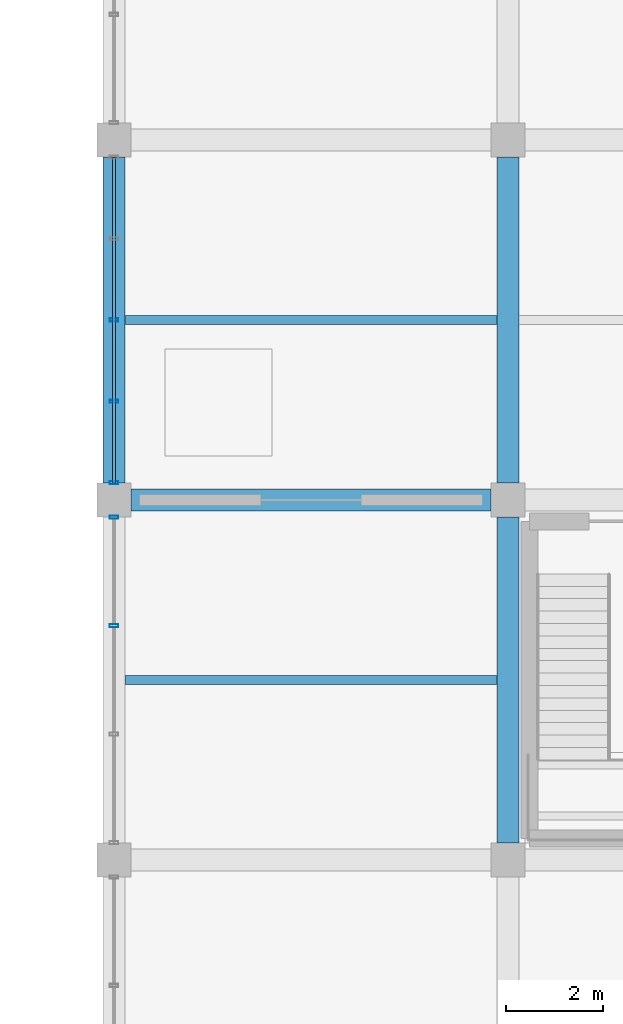
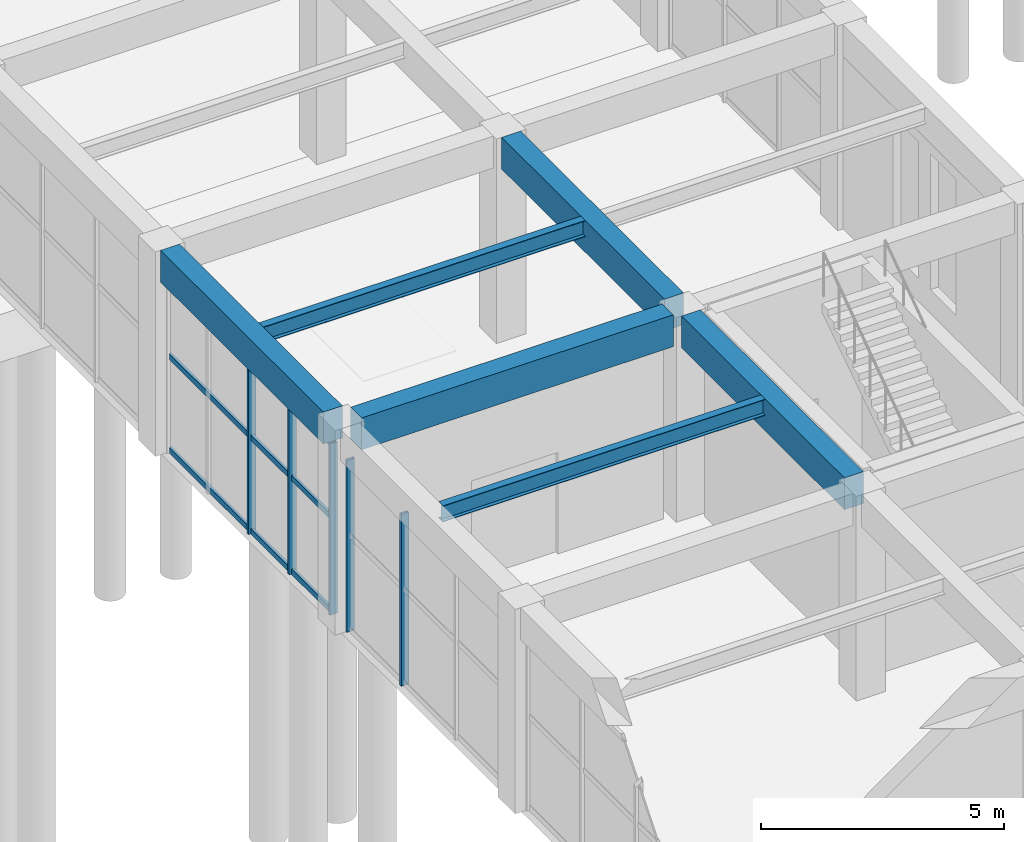
# One storey, part 51 of 140: 8 members, 6 beams, 2 elements without a shape of their own.
"""IFC4 building model written with IfcOpenShell, lengths in metres."""

import ifcopenshell
import ifcopenshell.guid

model = None  # the IFC model being written
_history = None  # IfcOwnerHistory: only IFC2X3 demands one
_inside = {}  # id of a spatial element -> (the spatial element, [elements in it])
_under = {}  # id of a project, library or spatial element -> (it, [spatial elements below it])
_declared = {}  # id of a project -> (the project, [libraries it declares])
_typed = {}  # id of a type object -> (the type object, [elements of that type])
_made_of = {}  # id of a material, layer set ... -> (it, [elements and type objects made of it])


def new_model(schema):
    """Start an empty IFC model of exactly this schema.

    Asked for "IFC4X3", IfcOpenShell would pick the latest addendum, in which some entities
    have other attributes; the version numbers below select the first issue.
    IFC2X3 requires an IfcOwnerHistory on every rooted entity: one is made here for all.
    """
    global model, _history
    if schema == "IFC4X3":
        model = ifcopenshell.file(schema_version=(4, 3, 0, 0))
    else:
        model = ifcopenshell.file(schema=schema)
    _inside.clear()
    _under.clear()
    _declared.clear()
    _typed.clear()
    _made_of.clear()
    _history = None
    if model.schema == "IFC2X3":
        org = make("IfcOrganization", Name="unknown")
        user = make(
            "IfcPersonAndOrganization",
            ThePerson=make("IfcPerson", FamilyName="unknown"),
            TheOrganization=org,
        )
        app = make(
            "IfcApplication",
            ApplicationDeveloper=org,
            Version="unknown",
            ApplicationFullName="unknown",
            ApplicationIdentifier="unknown",
        )
        _history = make(
            "IfcOwnerHistory",
            OwningUser=user,
            OwningApplication=app,
            ChangeAction="ADDED",
            CreationDate=0,
        )
    return model


def make(cls, **values):
    """One entity of the class cls with the attributes given. An attribute that is None is left unset."""
    return model.create_entity(
        cls, **{name: value for name, value in values.items() if value is not None}
    )


def rooted(cls, **values):
    """An entity with a GlobalId (a new one), such as an element, a storey or a relation."""
    return make(cls, GlobalId=ifcopenshell.guid.new(), OwnerHistory=_history, **values)


def si_unit(unit_type, name, prefix=None):
    """IfcSIUnit, for example si_unit("LENGTHUNIT", "METRE", prefix="MILLI")."""
    return make("IfcSIUnit", UnitType=unit_type, Prefix=prefix, Name=name)


def assignment(units):
    """IfcUnitAssignment: the units of a project."""
    return None if units is None else make("IfcUnitAssignment", Units=units)


def point(xyz):
    """IfcCartesianPoint."""
    return None if xyz is None else make("IfcCartesianPoint", Coordinates=xyz)


def direction(xyz):
    """IfcDirection."""
    return None if xyz is None else make("IfcDirection", DirectionRatios=xyz)


def frame(location, z_axis=None, x_axis=None):
    """IfcAxis2Placement3D, a coordinate frame: its origin and axes. An axis left out is left unset."""
    return make(
        "IfcAxis2Placement3D",
        Location=point(location),
        Axis=direction(z_axis),
        RefDirection=direction(x_axis),
    )


def frame_2d(location, x_axis=None):
    """IfcAxis2Placement2D, a coordinate frame in the plane: its origin and x axis."""
    return make(
        "IfcAxis2Placement2D", Location=point(location), RefDirection=direction(x_axis)
    )


def origin():
    """The frame at (0, 0, 0) with its axes left unset."""
    return frame((0.0, 0.0, 0.0))


def origin_2d():
    """The frame at (0, 0) in the plane with its x axis left unset."""
    return frame_2d((0.0, 0.0))


def place(relative_to, where):
    """IfcLocalPlacement: puts the frame where relative to a parent placement (None: the world)."""
    return make(
        "IfcLocalPlacement", PlacementRelTo=relative_to, RelativePlacement=where
    )


def context(
    kind, dimensions, precision=None, world=None, true_north=None, identifier=None
):
    """IfcGeometricRepresentationContext, for example the 3D "Model" context."""
    return make(
        "IfcGeometricRepresentationContext",
        ContextIdentifier=identifier,
        ContextType=kind,
        CoordinateSpaceDimension=dimensions,
        Precision=precision,
        WorldCoordinateSystem=world,
        TrueNorth=true_north,
    )


def subcontext(parent, identifier, kind, view, scale=None):
    """IfcGeometricRepresentationSubContext, for example "Body" below "Model"."""
    return make(
        "IfcGeometricRepresentationSubContext",
        ContextIdentifier=identifier,
        ContextType=kind,
        ParentContext=parent,
        TargetScale=scale,
        TargetView=view,
    )


def project(units=None, contexts=None):
    """IfcProject with its units and contexts."""
    return rooted(
        "IfcProject",
        Name="project",
        RepresentationContexts=contexts,
        UnitsInContext=assignment(units),
    )


def spatial(cls, under=None, at=None, **own):
    """A site, building, storey or space (cls), placed at a placement, below another one or the project."""
    s = rooted(cls, ObjectPlacement=at, **own)
    if under is not None:
        _under.setdefault(under.id(), (under, []))[1].append(s)
    return s


def profile(cls, at=None, kind="AREA", **sizes):
    """A parametric profile (cls). Its sizes go by their IFC names, for example OverallWidth=200.0."""
    return make(cls, ProfileType=kind, Position=at, **sizes)


def rectangle(**sizes):
    """IfcRectangleProfileDef."""
    return profile("IfcRectangleProfileDef", **sizes)


def hollow_rectangle(**sizes):
    """IfcRectangleHollowProfileDef."""
    return profile("IfcRectangleHollowProfileDef", **sizes)


def i_section(**sizes):
    """IfcIShapeProfileDef."""
    return profile("IfcIShapeProfileDef", **sizes)


def extrude(swept, where, along, depth):
    """IfcExtrudedAreaSolid: the profile swept, set in the frame where, extruded along a direction by depth."""
    return make(
        "IfcExtrudedAreaSolid",
        SweptArea=swept,
        Position=where,
        ExtrudedDirection=direction(along),
        Depth=depth,
    )


def shape(context_of_items, identifier, shape_type, items):
    """IfcShapeRepresentation: the items that make up one representation, for example the "Body"."""
    return make(
        "IfcShapeRepresentation",
        ContextOfItems=context_of_items,
        RepresentationIdentifier=identifier,
        RepresentationType=shape_type,
        Items=items,
    )


def material(Name=None, Category=None):
    """IfcMaterial."""
    return make("IfcMaterial", Name=Name, Category=Category)


def material_profile(
    of_material, cross_section, Name=None, Category=None, Priority=None
):
    """IfcMaterialProfile: a cross section and its material."""
    return make(
        "IfcMaterialProfile",
        Name=Name,
        Material=of_material,
        Profile=cross_section,
        Priority=Priority,
        Category=Category,
    )


def profile_set(profiles, Name=None, composite=None):
    """IfcMaterialProfileSet."""
    return make(
        "IfcMaterialProfileSet",
        Name=Name,
        MaterialProfiles=profiles,
        CompositeProfile=composite,
    )


def made_of(thing, what):
    """Note that an element or type object is made of a material, layer set ...; save() writes the relation."""
    if what is not None:
        _made_of.setdefault(what.id(), (what, []))[1].append(thing)
    return thing


def type_object(cls, material=None, **own):
    """A type object (cls), such as IfcWallType, which elements share."""
    return made_of(rooted(cls, **own), material)


def element(
    cls,
    number,
    at=None,
    inside=None,
    cuts=None,
    type_object=None,
    material=None,
    context=None,
    identifier="Body",
    shape_type=None,
    held_by="IfcProductDefinitionShape",
    body=None,
    shapes=None,
    **own,
):
    """One element of the class cls, such as IfcWall. Its Tag is "e" and its number.

    at: its placement. inside: the storey or other place that contains it. cuts: it is an
    opening in that element (IfcRelVoidsElement). A single representation is given by context,
    identifier, shape_type and body (its items); several are given by shapes. held_by: the class
    of the entity that holds the representations. save() writes the other relations.
    """
    e = rooted(cls, Tag="e%d" % number, ObjectPlacement=at, **own)
    if body is not None:
        shapes = [shape(context, identifier, shape_type, body)]
    if shapes is not None:
        e.Representation = make(held_by, Representations=shapes)
    if inside is not None:
        _inside.setdefault(inside.id(), (inside, []))[1].append(e)
    if cuts is not None:
        rooted(
            "IfcRelVoidsElement", RelatingBuildingElement=cuts, RelatedOpeningElement=e
        )
    if type_object is not None:
        _typed.setdefault(type_object.id(), (type_object, []))[1].append(e)
    return made_of(e, material)


def aggregate(whole, parts):
    """IfcRelAggregates: a whole, such as a stair, and the parts it consists of."""
    return rooted("IfcRelAggregates", RelatingObject=whole, RelatedObjects=parts)


def save(model, path):
    """Write the relations noted so far, then the file.

    IfcRelAggregates (storeys below a building ...), IfcRelContainedInSpatialStructure (elements
    in a storey), IfcRelDefinesByType, IfcRelAssociatesMaterial and IfcRelDeclares: one each for
    every whole, place, type object, material and project.
    """
    for whole, parts in _under.values():
        aggregate(whole, parts)
    for where, things in _inside.values():
        rooted(
            "IfcRelContainedInSpatialStructure",
            RelatedElements=things,
            RelatingStructure=where,
        )
    for kind, things in _typed.values():
        rooted("IfcRelDefinesByType", RelatedObjects=things, RelatingType=kind)
    for what, things in _made_of.values():
        rooted("IfcRelAssociatesMaterial", RelatedObjects=things, RelatingMaterial=what)
    for by, libraries in _declared.values():
        rooted("IfcRelDeclares", RelatingContext=by, RelatedDefinitions=libraries)
    model.write(path)


model = new_model("IFC4")

# Units and contexts
model_context = context("Model", 3, precision=1e-05, world=origin(), true_north=direction((0.0, 1.0)))
body_context = subcontext(model_context, "Body", "Model", "MODEL_VIEW")
ifc_project = project(units=[si_unit("LENGTHUNIT", "METRE"), si_unit("AREAUNIT", "SQUARE_METRE"), si_unit("VOLUMEUNIT", "CUBIC_METRE"), si_unit("PLANEANGLEUNIT", "RADIAN"), si_unit("MASSUNIT", "GRAM", prefix="KILO")], contexts=[model_context])

# Site, building, storey
site_placement = place(None, origin())
site = spatial("IfcSite", under=ifc_project, at=site_placement, CompositionType="ELEMENT")
building_placement = place(site_placement, origin())
building = spatial("IfcBuilding", under=site, at=building_placement, Name="Cimatlan Art Gallery", CompositionType="ELEMENT")
storey_placement = place(building_placement, origin())
storey = spatial("IfcBuildingStorey", under=building, at=storey_placement, Name="L00", CompositionType="ELEMENT", Elevation=0.0)

# Beams
ifc_material_1 = material(Name="Concrete C40/50", Category="concrete")
ifc_material_profile_1 = material_profile(ifc_material_1, rectangle(XDim=0.449951171875, YDim=0.800048828125, at=origin_2d()), Name="RC450X800")
ifc_profile_set_1 = profile_set([ifc_material_profile_1], Name="Concrete C40/50")
beam_type_1 = type_object("IfcBeamType", Name="BM-RC-450X800", PredefinedType="BEAM", material=ifc_profile_set_1)
for number, where, z_axis, x_axis, name in (
    (1, (115.39990234375, 53.85009765625, 4.735107421875), (0.0, 1.0, 0.0), (-1.0, 0.0, 0.0), "BM-Y-L00-14-07"),
    (2, (123.5, 46.449951171875, 4.735107421875), (0.0, 1.0, 0.0), (-1.0, 0.0, 0.0), "BM-Y-L00-15-06"),
    (3, (123.5, 53.85009765625, 4.735107421875), (0.0, 1.0, 0.0), (-1.0, 0.0, 0.0), "BM-Y-L00-15-07"),
):
    element("IfcBeam", number, at=place(storey_placement, frame(where, z_axis=z_axis, x_axis=x_axis)), inside=storey, type_object=beam_type_1, Name=name, PredefinedType="BEAM", context=body_context, shape_type="SweptSolid", body=[
        extrude(rectangle(XDim=0.449951171875, YDim=0.800048828125, at=origin_2d()), origin(), (0.0, 0.0, 1.0), 6.699951171875),
    ])
beam_placement = place(storey_placement, frame((115.75, 53.5, 4.735107421875), z_axis=(1.0, 0.0, 0.0), x_axis=(0.0, 1.0, 0.0)))
element("IfcBeam", 4, at=beam_placement, inside=storey, type_object=beam_type_1, Name="BM-X-L00-14-07", PredefinedType="BEAM", context=body_context, shape_type="SweptSolid", body=[
    extrude(rectangle(XDim=0.449951171875, YDim=0.800048828125, at=origin_2d()), origin(), (0.0, 0.0, 1.0), 7.39990234375),
])
ifc_material_2 = material(Name="Steel ASTM A992 Grade 50", Category="steel")
ifc_material_profile_2 = material_profile(ifc_material_2, i_section(OverallWidth=0.177978515625, OverallDepth=0.406982421875, WebThickness=0.0078125, FlangeThickness=0.0126953125, at=origin_2d()), Name="W16X40")
ifc_profile_set_2 = profile_set([ifc_material_profile_2], Name="Steel ASTM A992 Grade 50")
beam_type_2 = type_object("IfcBeamType", Name="BM-STL-W16X40", PredefinedType="JOIST", material=ifc_profile_set_2)
for number, where, z_axis, x_axis, name in (
    (5, (115.625, 49.800048828125, 4.931396484375), (1.0, 0.0, 0.0), (0.0, 1.0, 0.0), "JST-L00-14-06"),
    (6, (115.625, 57.199951171875, 4.931396484375), (1.0, 0.0, 0.0), (0.0, 1.0, 0.0), "JST-L00-14-07"),
):
    element("IfcBeam", number, at=place(storey_placement, frame(where, z_axis=z_axis, x_axis=x_axis)), inside=storey, type_object=beam_type_2, Name=name, PredefinedType="JOIST", context=body_context, shape_type="SweptSolid", body=[
        extrude(i_section(OverallWidth=0.177978515625, OverallDepth=0.406982421875, WebThickness=0.0078125, FlangeThickness=0.0126953125, at=origin_2d()), origin(), (0.0, 0.0, 1.0), 7.64990234375),
    ])

# Curtain wall, members
ifc_material_3 = material(Name="Anodised bronze unitised curtain wall")
curtain_wall_type_1 = type_object("IfcCurtainWallType", Name="CW-V-06692X04320-B3", PredefinedType="NOTDEFINED", material=ifc_material_3)
curtain_wall_1_placement = place(storey_placement, origin())
curtain_wall_1 = element("IfcCurtainWall", 7, at=curtain_wall_1_placement, inside=storey, type_object=curtain_wall_type_1, Name="CW-L00-14-06-W", PredefinedType="NOTDEFINED")
ifc_material_4 = material(Name="Anodised bronze aluminium 6063-T6", Category="aluminium")
ifc_material_profile_3 = material_profile(ifc_material_4, hollow_rectangle(XDim=0.06494140625, YDim=0.179931640625, WallThickness=0.00390625, at=origin_2d()), Name="ALU65X180X4")
ifc_profile_set_3 = profile_set([ifc_material_profile_3], Name="Anodised bronze aluminium 6063-T6")
member_type_1 = type_object("IfcMemberType", Name="CW-MUL-180", PredefinedType="MULLION", material=ifc_profile_set_3)
member_1_placement = place(storey_placement, frame((115.39990234375, 50.915283203125, 0.0), z_axis=(0.0, 0.0, 1.0), x_axis=(0.0, 1.0, 0.0)))
member_1 = element("IfcMember", 8, at=member_1_placement, type_object=member_type_1, Name="CW-L00-14-06-W-M3", PredefinedType="MULLION", context=body_context, shape_type="SweptSolid", body=[
    extrude(hollow_rectangle(XDim=0.06494140625, YDim=0.179931640625, WallThickness=0.00390625, at=origin_2d()), origin(), (0.0, 0.0, 1.0), 4.320068359375),
])
member_2_placement = place(storey_placement, frame((115.39990234375, 53.14599609375, 0.0), z_axis=(0.0, 0.0, 1.0), x_axis=(0.0, 1.0, 0.0)))
member_2 = element("IfcMember", 9, at=member_2_placement, type_object=member_type_1, Name="CW-L00-14-06-W-M4", PredefinedType="MULLION", context=body_context, shape_type="SweptSolid", body=[
    extrude(hollow_rectangle(XDim=0.06494140625, YDim=0.179931640625, WallThickness=0.00390625, at=origin_2d()), origin(), (0.0, 0.0, 1.0), 4.320068359375),
])
aggregate(curtain_wall_1, [member_1, member_2])

curtain_wall_type_2 = type_object("IfcCurtainWallType", Name="CW-V-06692X04305-B4", PredefinedType="NOTDEFINED", material=ifc_material_3)
curtain_wall_2_placement = place(storey_placement, origin())
curtain_wall_2 = element("IfcCurtainWall", 10, at=curtain_wall_2_placement, inside=storey, type_object=curtain_wall_type_2, Name="CW-L00-14-07-W", PredefinedType="NOTDEFINED")
member_3_placement = place(storey_placement, frame((115.39990234375, 53.85400390625, 0.0), z_axis=(0.0, 0.0, 1.0), x_axis=(0.0, 1.0, 0.0)))
member_3 = element("IfcMember", 11, at=member_3_placement, type_object=member_type_1, Name="CW-L00-14-07-W-M1", PredefinedType="MULLION", context=body_context, shape_type="SweptSolid", body=[
    extrude(hollow_rectangle(XDim=0.06494140625, YDim=0.179931640625, WallThickness=0.00390625, at=origin_2d()), origin(), (0.0, 0.0, 1.0), 4.304931640625),
])
member_4_placement = place(storey_placement, frame((115.39990234375, 55.527099609375, 0.0), z_axis=(0.0, 0.0, 1.0), x_axis=(0.0, 1.0, 0.0)))
member_4 = element("IfcMember", 12, at=member_4_placement, type_object=member_type_1, Name="CW-L00-14-07-W-M2", PredefinedType="MULLION", context=body_context, shape_type="SweptSolid", body=[
    extrude(hollow_rectangle(XDim=0.06494140625, YDim=0.179931640625, WallThickness=0.00390625, at=origin_2d()), origin(), (0.0, 0.0, 1.0), 4.304931640625),
])
member_5_placement = place(storey_placement, frame((115.39990234375, 57.199951171875, 0.0), z_axis=(0.0, 0.0, 1.0), x_axis=(0.0, 1.0, 0.0)))
member_5 = element("IfcMember", 13, at=member_5_placement, type_object=member_type_1, Name="CW-L00-14-07-W-M3", PredefinedType="MULLION", context=body_context, shape_type="SweptSolid", body=[
    extrude(hollow_rectangle(XDim=0.06494140625, YDim=0.179931640625, WallThickness=0.00390625, at=origin_2d()), origin(), (0.0, 0.0, 1.0), 4.304931640625),
])
ifc_material_profile_4 = material_profile(ifc_material_4, hollow_rectangle(XDim=0.06494140625, YDim=0.139892578125, WallThickness=0.00390625, at=origin_2d()), Name="ALU65X140X4")
ifc_profile_set_4 = profile_set([ifc_material_profile_4], Name="Anodised bronze aluminium 6063-T6")
member_type_2 = type_object("IfcMemberType", Name="CW-TRN-140", PredefinedType="USERDEFINED", material=ifc_profile_set_4)
member_6_placement = place(storey_placement, frame((115.39990234375, 53.85400390625, 0.06005859375), z_axis=(0.0, 1.0, 0.0), x_axis=(-1.0, 0.0, 0.0)))
member_6 = element("IfcMember", 14, at=member_6_placement, type_object=member_type_2, Name="CW-L00-14-07-W-T1", ObjectType="TRANSOM", PredefinedType="USERDEFINED", context=body_context, shape_type="SweptSolid", body=[
    extrude(hollow_rectangle(XDim=0.06494140625, YDim=0.139892578125, WallThickness=0.00390625, at=origin_2d()), origin(), (0.0, 0.0, 1.0), 6.69189453125),
])
member_7_placement = place(storey_placement, frame((115.39990234375, 53.85400390625, 2.410888671875), z_axis=(0.0, 1.0, 0.0), x_axis=(-1.0, 0.0, 0.0)))
member_7 = element("IfcMember", 15, at=member_7_placement, type_object=member_type_2, Name="CW-L00-14-07-W-T2", ObjectType="TRANSOM", PredefinedType="USERDEFINED", context=body_context, shape_type="SweptSolid", body=[
    extrude(hollow_rectangle(XDim=0.06494140625, YDim=0.139892578125, WallThickness=0.00390625, at=origin_2d()), origin(), (0.0, 0.0, 1.0), 6.69189453125),
])
member_8_placement = place(storey_placement, frame((115.39990234375, 53.85400390625, 4.2451171875), z_axis=(0.0, 1.0, 0.0), x_axis=(-1.0, 0.0, 0.0)))
member_8 = element("IfcMember", 16, at=member_8_placement, type_object=member_type_2, Name="CW-L00-14-07-W-T3", ObjectType="TRANSOM", PredefinedType="USERDEFINED", context=body_context, shape_type="SweptSolid", body=[
    extrude(hollow_rectangle(XDim=0.06494140625, YDim=0.139892578125, WallThickness=0.00390625, at=origin_2d()), origin(), (0.0, 0.0, 1.0), 6.69189453125),
])
aggregate(curtain_wall_2, [member_3, member_4, member_5, member_6, member_7, member_8])

save(model, "model.ifc")
